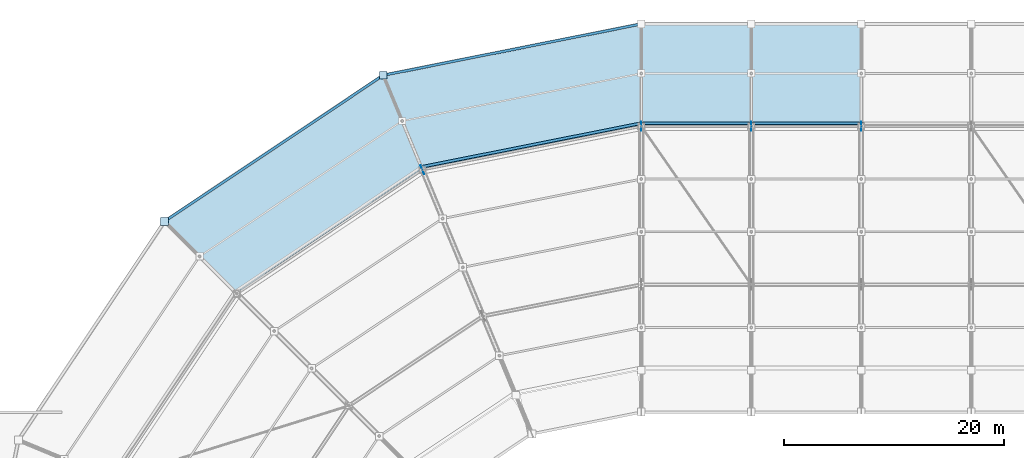
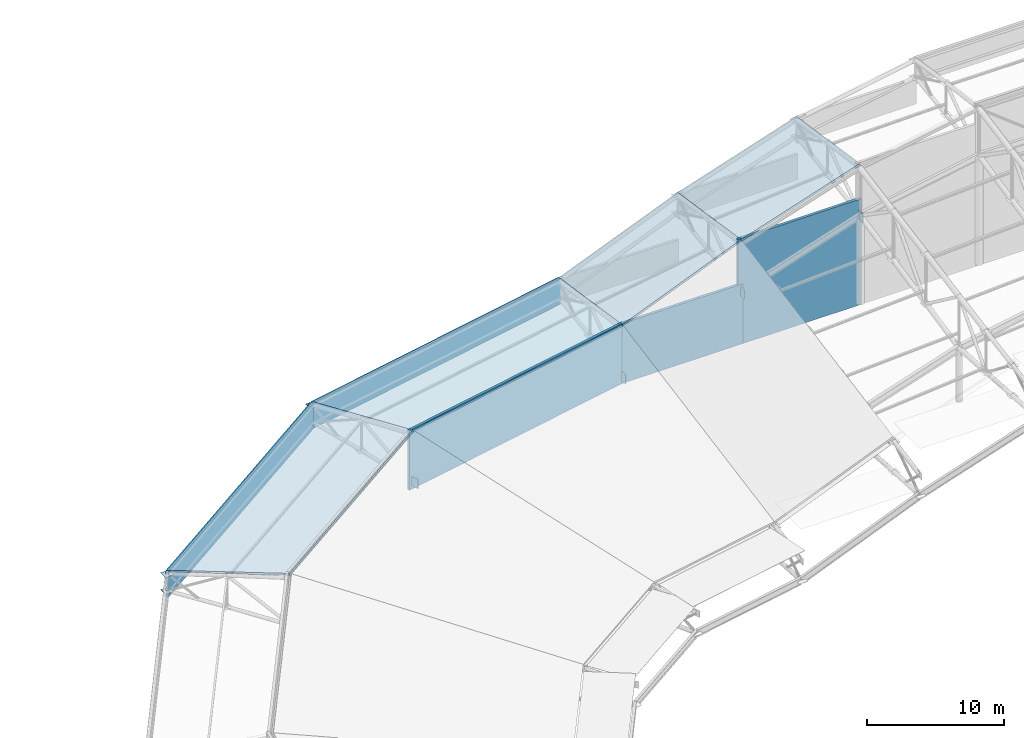
# One storey, part 121 of 146: 13 plates, 4 slabs.
"""IFC4 building model written with IfcOpenShell, lengths in metres."""

from ifc_helpers import new_model, si_unit, direction, frame, origin, origin_2d, place, context, subcontext, project, spatial, polyline, rectangle, outline, extrude, material, layer, layer_set, type_object, element, save


model = new_model("IFC4")

# Units and contexts
model_context = context("Model", 3, precision=1e-05, world=origin(), true_north=direction((0.0, 1.0)))
body_context = subcontext(model_context, "Body", "Model", "MODEL_VIEW")
ifc_project = project(units=[si_unit("LENGTHUNIT", "METRE"), si_unit("AREAUNIT", "SQUARE_METRE"), si_unit("VOLUMEUNIT", "CUBIC_METRE"), si_unit("PLANEANGLEUNIT", "RADIAN"), si_unit("MASSUNIT", "GRAM", prefix="KILO")], contexts=[model_context])

# Site, building, storey
site_placement = place(None, origin())
site = spatial("IfcSite", under=ifc_project, at=site_placement, CompositionType="ELEMENT")
building_placement = place(site_placement, origin())
building = spatial("IfcBuilding", under=site, at=building_placement, Name="Candeia Ridge Stadium", CompositionType="ELEMENT")
storey_placement = place(building_placement, frame((0.0, 0.0, 31.800048828125)))
storey = spatial("IfcBuildingStorey", under=building, at=storey_placement, Name="RF", CompositionType="ELEMENT", Elevation=31.800048828125)

# Plates
ifc_material_1 = material(Name="Aluminium Anodized Warm Bronze", Category="aluminium")
ifc_layer_1 = layer(ifc_material_1, 0.239990234375, Name="Aluminium Anodized Warm Bronze", Category="aluminium")
ifc_layer_set_1 = layer_set([ifc_layer_1], Name="Aluminium Anodized Warm Bronze")
plate_type_1 = type_object("IfcPlateType", Name="Crown Perforated Bronze Acoustic Screen", PredefinedType="SHEET", material=ifc_layer_set_1)
plate_1_placement = place(storey_placement, frame((86.0, 147.280029296875, -0.3251953125), z_axis=(0.0, 0.0, 1.0), x_axis=(-1.0, 0.0, 0.0)))
element("IfcPlate", 1, at=plate_1_placement, inside=storey, type_object=plate_type_1, Name="Crown perforated bronze acoustic screen RF bay 06", PredefinedType="SHEET", context=body_context, shape_type="SweptSolid", body=[
    extrude(rectangle(XDim=10.39990234375, YDim=0.239990234375, at=origin_2d()), origin(), (0.0, 0.0, 1.0), 9.408447265625),
])
plate_2_placement = place(storey_placement, frame((76.0, 147.280029296875, -0.3251953125), z_axis=(0.0, 0.0, 1.0), x_axis=(-1.0, 0.0, 0.0)))
element("IfcPlate", 2, at=plate_2_placement, inside=storey, type_object=plate_type_1, Name="Crown perforated bronze acoustic screen RF bay 07", PredefinedType="SHEET", context=body_context, shape_type="SweptSolid", body=[
    extrude(rectangle(XDim=10.39990234375, YDim=0.239990234375, at=origin_2d()), origin(), (0.0, 0.0, 1.0), 5.330078125),
])
plate_3_placement = place(storey_placement, frame((60.99658203125, 145.290283203125, -0.3251953125), z_axis=(0.0, 0.0, 1.0), x_axis=(-0.980785281074, -0.195090318644, 0.0)))
element("IfcPlate", 3, at=plate_3_placement, inside=storey, type_object=plate_type_1, Name="Crown perforated bronze acoustic screen RF bay 08", PredefinedType="SHEET", context=body_context, shape_type="SweptSolid", body=[
    extrude(rectangle(XDim=20.798583984375, YDim=0.239990234375, at=origin_2d()), origin(), (0.0, 0.0, 1.0), 5.330078125),
])
for number, where, z_axis, x_axis, name in (
    (4, (59.270751953125, 153.966796875, 1.25), (0.0, 0.0, 1.0), (-0.980785277015, -0.195090339048, 0.0), "Saddle roof outer eaves warm-bronze fascia bay 08"),
    (5, (37.597900390625, 144.98974609375, 1.25), (0.0, 0.0, 1.0), (-0.831469634236, -0.555570200194, 0.0), "Saddle roof outer eaves warm-bronze fascia bay 09"),
):
    element("IfcPlate", number, at=place(storey_placement, frame(where, z_axis=z_axis, x_axis=x_axis)), inside=storey, type_object=plate_type_1, Name=name, PredefinedType="SHEET", context=body_context, shape_type="SweptSolid", body=[
        extrude(rectangle(XDim=23.97802734375, YDim=0.239990234375, at=origin_2d()), origin(), (0.0, 0.0, 1.0), 2.300048828125),
    ])
ifc_material_2 = material(Name="Steel ASTM A572 Grade 50", Category="steel")
ifc_layer_2 = layer(ifc_material_2, 0.02490234375, Name="Steel ASTM A572 Grade 50", Category="steel")
ifc_layer_set_2 = layer_set([ifc_layer_2], Name="Steel ASTM A572 Grade 50")
plate_type_2 = type_object("IfcPlateType", Name="Hollow Section End Closure Plate CP2", PredefinedType="SHEET", material=ifc_layer_set_2)
for number, where, z_axis, x_axis, name in (
    (6, (47.54150390625, 151.6337890625, 3.2685546875), (0.0, 0.0, 1.0), (1.0, 0.0, 0.0), "Hollow section end closure plate TCAP-EAVE-08"),
    (7, (47.54150390625, 151.6337890625, 1.7685546875), (0.0, 0.0, 1.0), (1.0, 0.0, 0.0), "Hollow section end closure plate BCAP-EAVE-08"),
    (8, (27.654296875, 138.345703125, 3.2685546875), (0.0, 0.0, 1.0), (1.0, 0.0, 0.0), "Hollow section end closure plate TCAP-EAVE-09"),
    (9, (27.654296875, 138.345703125, 1.7685546875), (0.0, 0.0, 1.0), (1.0, 0.0, 0.0), "Hollow section end closure plate BCAP-EAVE-09"),
):
    element("IfcPlate", number, at=place(storey_placement, frame(where, z_axis=z_axis, x_axis=x_axis)), inside=storey, type_object=plate_type_2, Name=name, PredefinedType="SHEET", context=body_context, shape_type="SweptSolid", body=[
        extrude(rectangle(XDim=0.719970703125, YDim=0.719970703125, at=origin_2d()), origin(), (0.0, 0.0, 1.0), 0.02490234375),
    ])
ifc_layer_3 = layer(ifc_material_2, 0.028076171875, Name="Steel ASTM A572 Grade 50", Category="steel")
ifc_layer_set_3 = layer_set([ifc_layer_3], Name="Steel ASTM A572 Grade 50")
plate_type_3 = type_object("IfcPlateType", Name="Roof Truss Outer Tie Node Gusset ND-2", PredefinedType="USERDEFINED", material=ifc_layer_set_3)
for number, where, z_axis, x_axis, name in (
    (10, (91.0, 147.0, 7.32421875), (0.0, 0.0, 1.0), (0.0, 1.0, 0.0), "Roof truss outer support node ND-2 bay 06"),
    (11, (81.0, 147.0, 4.053466796875), (0.0, 0.0, 1.0), (0.0, 1.0, 0.0), "Roof truss outer support node ND-2 bay 07"),
    (12, (71.0, 147.0, -0.025146484375), (0.0, 0.0, 1.0), (0.0, 1.0, 0.0), "Roof truss outer support node ND-2 bay 08"),
    (13, (51.100341796875, 143.041748046875, -0.025146484375), (0.0, 0.0, 1.0), (-0.382683433413, 0.923879532077, 0.0), "Roof truss outer support node ND-2 bay 09"),
):
    element("IfcPlate", number, at=place(storey_placement, frame(where, z_axis=z_axis, x_axis=x_axis)), inside=storey, type_object=plate_type_3, Name=name, ObjectType="GUSSET PLATE", PredefinedType="USERDEFINED", context=body_context, shape_type="SweptSolid", body=[
        extrude(rectangle(XDim=0.85009765625, YDim=0.028076171875, at=origin_2d()), origin(), (0.0, 0.0, 1.0), 0.85009765625),
    ])

# Slabs
ifc_layer_4 = layer(ifc_material_2, 0.1650390625, Name="Steel ASTM A572 Grade 50", Category="steel")
ifc_layer_set_4 = layer_set([ifc_layer_4], Name="Steel ASTM A572 Grade 50")
slab_type = type_object("IfcSlabType", Name="Saddle Eaves Roof Deck 165", PredefinedType="ROOF", material=ifc_layer_set_4)
slab_1_placement = place(storey_placement, frame((91.0, 147.080078125, 12.3369140625), z_axis=(-0.307756371105, 0.141634158589, 0.940864379794), x_axis=(-0.950445756952, 0.0, -0.310890435831)))
element("IfcSlab", 14, at=slab_1_placement, inside=storey, type_object=slab_type, Name="Stadium saddle roof eave deck bay 06", PredefinedType="ROOF", context=body_context, shape_type="SweptSolid", body=[
    extrude(outline(polyline([(0.0, 0.0), (10.521378970711385, 5.551115123125783e-17), (10.952876072200775, -9.313863105255011), (0.43149710148939024, -9.313863105255011), (0.0, 0.0)])), origin(), (0.0, 0.0, -1.0), 0.1650390625),
])
slab_2_placement = place(storey_placement, frame((81.0, 147.080078125, 9.06591796875), z_axis=(-0.373992399417, 0.138068439902, 0.917096936578), x_axis=(-0.925965267125, -1.431252e-06, -0.377608691738)))
element("IfcSlab", 15, at=slab_2_placement, inside=storey, type_object=slab_type, Name="Stadium saddle roof eave deck bay 07", PredefinedType="ROOF", context=body_context, shape_type="SweptSolid", body=[
    extrude(outline(polyline([(0.0, 0.0), (10.799495927621997, 0.0), (11.323672922245013, -9.309143458031738), (0.5240848050010095, -9.309112245357149), (0.0, 0.0)])), origin(), (0.0, 0.0, -1.0), 0.1650390625),
])
slab_3_placement = place(storey_placement, frame((71.0, 147.080078125, 4.988037109375), z_axis=(-0.029601315607, 0.148820532569, 0.988421069788), x_axis=(-0.980787133937, -0.195081003438, -5.36886e-07)))
element("IfcSlab", 16, at=slab_3_placement, inside=storey, type_object=slab_type, Name="Stadium saddle roof eave deck bay 08", PredefinedType="ROOF", context=body_context, shape_type="SweptSolid", body=[
    extrude(outline(polyline([(0.0, 0.0), (20.320343349009452, 0.0), (22.118922869347795, -9.148603290923226), (-1.7986403911399411, -9.148759817575172), (0.0, 0.0)])), origin(), (0.0, 0.0, -1.0), 0.1650390625),
])
slab_4_placement = place(storey_placement, frame((51.070068359375, 143.115966796875, 4.988037109375), z_axis=(-0.084296794497, 0.126159658461, 0.988421868948), x_axis=(-0.831458637348, -0.555586657838, 3.364062e-06)))
element("IfcSlab", 17, at=slab_4_placement, inside=storey, type_object=slab_type, Name="Stadium saddle roof eave deck bay 09", PredefinedType="ROOF", context=body_context, shape_type="SweptSolid", body=[
    extrude(outline(polyline([(0.0, 0.0), (20.32091695834634, 0.0), (22.119602982938805, -9.149485867843724), (-1.7990793095016628, -9.148505019899881), (0.0, 0.0)])), origin(), (0.0, 0.0, -1.0), 0.1650390625),
])

save(model, "model.ifc")
